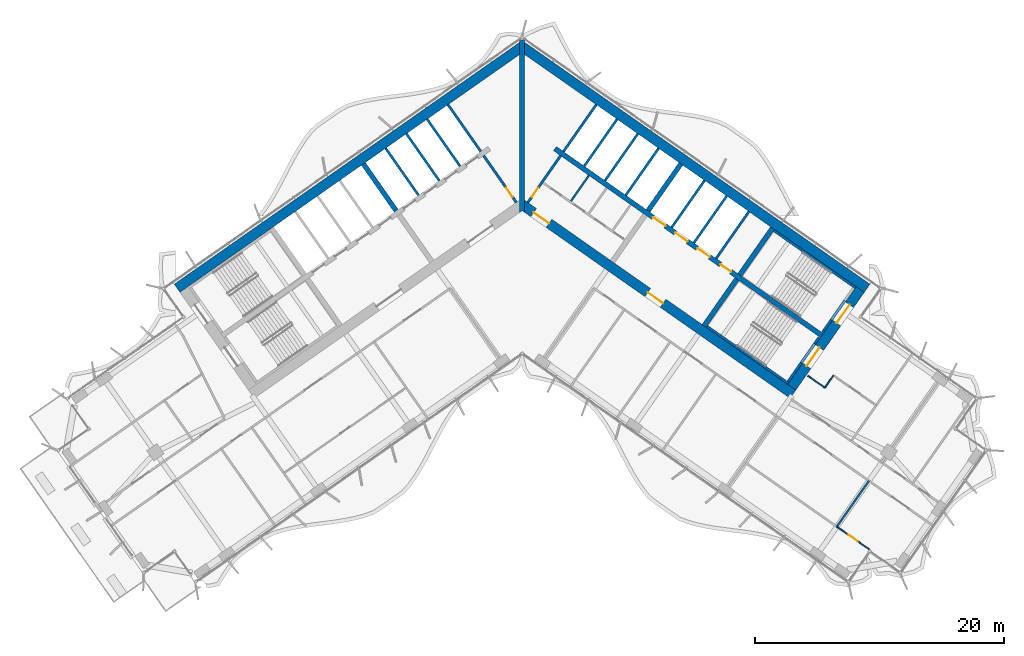
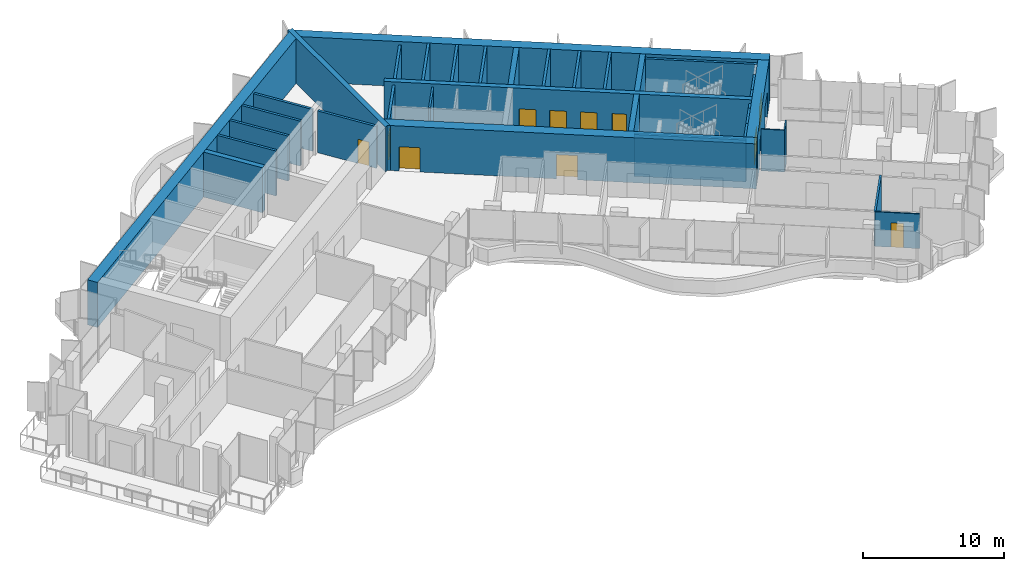
# One storey, part 16 of 24: 35 walls, 11 doors, 11 openings.
"""IFC4 building model written with IfcOpenShell, lengths in metres."""

from ifc_helpers import new_model, si_unit, direction, frame, frame_2d, origin, place, context, subcontext, project, spatial, polyline, rectangle, outline, extrude, material, layer, layer_set, type_object, element, fill, save


model = new_model("IFC4")

# Units and contexts
model_context = context("Model", 3, precision=1e-05, world=origin(), true_north=direction((0.0, 1.0)))
body_context = subcontext(model_context, "Body", "Model", "MODEL_VIEW")
ifc_project = project(units=[si_unit("LENGTHUNIT", "METRE"), si_unit("AREAUNIT", "SQUARE_METRE"), si_unit("VOLUMEUNIT", "CUBIC_METRE"), si_unit("PLANEANGLEUNIT", "RADIAN"), si_unit("MASSUNIT", "GRAM", prefix="KILO")], contexts=[model_context])

# Site, building, storey
site_placement = place(None, origin())
site = spatial("IfcSite", under=ifc_project, at=site_placement, CompositionType="ELEMENT")
building_placement = place(site_placement, origin())
building = spatial("IfcBuilding", under=site, at=building_placement, Name="Tel Ilan Convention Tower", CompositionType="ELEMENT")
storey_placement = place(building_placement, frame((0.0, 0.0, 167.10009765625)))
storey = spatial("IfcBuildingStorey", under=building, at=storey_placement, Name="L38", CompositionType="ELEMENT", Elevation=167.10009765625)

# Wall
ifc_material_1 = material(Name="Gypsum Plasterboard on Steel Stud", Category="steel")
ifc_layer_1 = layer(ifc_material_1, 0.14990234375)
ifc_layer_set_1 = layer_set([ifc_layer_1], Name="Core Room Partition Wall 150 mm EI 60")
wall_type_1 = type_object("IfcWallType", Name="Core Room Partition Wall 150 mm EI 60", PredefinedType="PARTITIONING", material=ifc_layer_set_1)
wall_1_placement = place(storey_placement, frame((3.922119140625, -0.457275390625, 0.0), z_axis=(0.0, 0.0, 1.0), x_axis=(0.573566168143, 0.81915923407, 0.0)))
element("IfcWall", 1, at=wall_1_placement, inside=storey, type_object=wall_type_1, Name="L38 core wall wc-v0", PredefinedType="PARTITIONING", context=body_context, shape_type="SweptSolid", body=[
    extrude(rectangle(XDim=2.52490234375, YDim=0.14990234375, at=frame_2d((1.262451171875, 0.0))), origin(), (0.0, 0.0, 1.0), 3.619873046875),
])

# Wall, opening, door
ifc_material_2 = material(Name="Concrete C30/37", Category="concrete")
ifc_layer_2 = layer(ifc_material_2, 0.199951171875)
ifc_layer_set_2 = layer_set([ifc_layer_2], Name="Core Service Room Wall 200 mm C30/37")
wall_type_2 = type_object("IfcWallType", Name="Core Service Room Wall 200 mm C30/37", PredefinedType="SOLIDWALL", material=ifc_layer_set_2)
wall_2_placement = place(storey_placement, frame((-0.458740234375, -0.565185546875, 0.0), z_axis=(0.0, 0.0, 1.0), x_axis=(-0.573576324356, 0.819152122709, 0.0)))
wall_2 = element("IfcWall", 2, at=wall_2_placement, inside=storey, type_object=wall_type_2, Name="L38 core wall apex-W", PredefinedType="SOLIDWALL", context=body_context, shape_type="SweptSolid", body=[
    extrude(rectangle(XDim=4.599853515625, YDim=0.199951171875, at=frame_2d((2.2998046875, 0.0))), origin(), (0.0, 0.0, 1.0), 3.619873046875),
])
opening_1_placement = place(wall_2_placement, frame((0.550048828125, 0.0, 0.0)))
opening_1 = element("IfcOpeningElement", 3, at=opening_1_placement, cuts=wall_2, Name="Opening CD3002", PredefinedType="OPENING", context=body_context, shape_type="SweptSolid", body=[
    extrude(rectangle(XDim=0.89990234375, YDim=2.10009765625, at=frame_2d((0.449951171875, 1.050048828125))), frame((0.0, 0.10986328125, 0.0), z_axis=(0.0, -1.0, 0.0), x_axis=(1.0, 0.0, 0.0)), (0.0, 0.0, 1.0), 0.219970703125),
])
ifc_material_3 = material(Name="Galvanised Steel Door Leaf", Category="steel")
door_type_1 = type_object("IfcDoorType", Name="Service Room Door 900 x 2100 FD60", OperationType="NOTDEFINED", PredefinedType="DOOR", material=ifc_material_3)
door_1_placement = place(opening_1_placement, origin())
door_1 = element("IfcDoor", 4, at=door_1_placement, inside=storey, type_object=door_type_1, Name="Telecom Room door", OperationType="SINGLE_SWING_RIGHT", OverallHeight=2.10009765625, OverallWidth=0.89990234375, PredefinedType="DOOR", context=body_context, shape_type="SweptSolid", body=[
    extrude(rectangle(XDim=0.89990234375, YDim=2.10009765625, at=frame_2d((0.449951171875, 1.050048828125))), frame((0.0, 0.02490234375, 0.0), z_axis=(0.0, -1.0, 0.0), x_axis=(1.0, 0.0, 0.0)), (0.0, 0.0, 1.0), 0.050048828125),
])
fill(opening_1, door_1)

# Wall
wall_3_placement = place(storey_placement, frame((-3.32666015625, 3.530517578125, 0.0), z_axis=(0.0, 0.0, 1.0), x_axis=(-0.573576324356, 0.819152122709, 0.0)))
element("IfcWall", 5, at=wall_3_placement, inside=storey, type_object=wall_type_2, Name="L38 core wall apex-W-b", PredefinedType="SOLIDWALL", context=body_context, shape_type="SweptSolid", body=[
    extrude(rectangle(XDim=4.599853515625, YDim=0.199951171875, at=frame_2d((2.2998046875, 0.0))), origin(), (0.0, 0.0, 1.0), 3.619873046875),
])

# Wall, opening, door
wall_4_placement = place(storey_placement, frame((0.458740234375, -0.565185546875, 0.0), z_axis=(0.0, 0.0, 1.0), x_axis=(0.573576324356, 0.819152122709, 0.0)))
wall_4 = element("IfcWall", 6, at=wall_4_placement, inside=storey, type_object=wall_type_2, Name="L38 core wall apex-E", PredefinedType="SOLIDWALL", context=body_context, shape_type="SweptSolid", body=[
    extrude(rectangle(XDim=4.599853515625, YDim=0.199951171875, at=frame_2d((2.2998046875, 0.0))), origin(), (0.0, 0.0, 1.0), 3.619873046875),
])
opening_2_placement = place(wall_4_placement, frame((0.550048828125, 0.0, 0.0)))
opening_2 = element("IfcOpeningElement", 7, at=opening_2_placement, cuts=wall_4, Name="Opening CD3001", PredefinedType="OPENING", context=body_context, shape_type="SweptSolid", body=[
    extrude(rectangle(XDim=0.89990234375, YDim=2.10009765625, at=frame_2d((0.449951171875, 1.050048828125))), frame((0.0, 0.10986328125, 0.0), z_axis=(0.0, -1.0, 0.0), x_axis=(1.0, 0.0, 0.0)), (0.0, 0.0, 1.0), 0.219970703125),
])
door_2_placement = place(opening_2_placement, origin())
door_2 = element("IfcDoor", 8, at=door_2_placement, inside=storey, type_object=door_type_1, Name="Data Room door", OperationType="SINGLE_SWING_RIGHT", OverallHeight=2.10009765625, OverallWidth=0.89990234375, PredefinedType="DOOR", context=body_context, shape_type="SweptSolid", body=[
    extrude(rectangle(XDim=0.89990234375, YDim=2.10009765625, at=frame_2d((0.449951171875, 1.050048828125))), frame((0.0, 0.02490234375, 0.0), z_axis=(0.0, -1.0, 0.0), x_axis=(1.0, 0.0, 0.0)), (0.0, 0.0, 1.0), 0.050048828125),
])
fill(opening_2, door_2)

# Walls
wall_5_placement = place(storey_placement, frame((3.32666015625, 3.530517578125, 0.0), z_axis=(0.0, 0.0, 1.0), x_axis=(0.573576324356, 0.819152122709, 0.0)))
element("IfcWall", 9, at=wall_5_placement, inside=storey, type_object=wall_type_2, Name="L38 core wall apex-E-b", PredefinedType="SOLIDWALL", context=body_context, shape_type="SweptSolid", body=[
    extrude(rectangle(XDim=4.599853515625, YDim=0.199951171875, at=frame_2d((2.2998046875, 0.0))), origin(), (0.0, 0.0, 1.0), 3.619873046875),
])
ifc_material_4 = material(Name="Concrete C50/60", Category="concrete")
ifc_layer_3 = layer(ifc_material_4, 0.39990234375)
ifc_layer_set_3 = layer_set([ifc_layer_3], Name="Core Shear Wall 400 mm C50/60")
wall_type_3 = type_object("IfcWallType", Name="Core Shear Wall 400 mm C50/60", PredefinedType="SHEAR", material=ifc_layer_set_3)
wall_6_placement = place(storey_placement, frame((-10.12548828125, -1.230224609375, 0.0), z_axis=(0.0, 0.0, 1.0), x_axis=(-0.573576324356, 0.819152122709, 0.0)))
element("IfcWall", 10, at=wall_6_placement, inside=storey, type_object=wall_type_3, Name="L38 core wall W-cross1-2", PredefinedType="SHEAR", context=body_context, shape_type="SweptSolid", body=[
    extrude(outline(polyline([(4.60009765625, -0.199951171875), (4.599853515625, 0.199951171875), (0.0, 0.2001953125), (0.0, -0.199951171875), (4.60009765625, -0.199951171875)])), origin(), (0.0, 0.0, 1.0), 3.89990234375),
])
wall_7_placement = place(storey_placement, frame((10.12548828125, -1.230224609375, 0.0), z_axis=(0.0, 0.0, 1.0), x_axis=(0.573576324356, 0.819152122709, 0.0)))
element("IfcWall", 11, at=wall_7_placement, inside=storey, type_object=wall_type_3, Name="L38 core wall E-cross1-2", PredefinedType="SHEAR", context=body_context, shape_type="SweptSolid", body=[
    extrude(outline(polyline([(4.599853515625, -0.199951171875), (4.60009765625, 0.199951171875), (0.0, 0.199951171875), (0.0, -0.2001953125), (4.599853515625, -0.199951171875)])), origin(), (0.0, 0.0, 1.0), 3.89990234375),
])
wall_8_placement = place(storey_placement, frame((14.6298828125, -10.48828125, 0.0), z_axis=(0.0, 0.0, 1.0), x_axis=(0.573611936273, 0.819127185829, 0.0)))
element("IfcWall", 12, at=wall_8_placement, inside=storey, type_object=wall_type_3, Name="L38 core wall E-cross2-1", PredefinedType="SHEAR", context=body_context, shape_type="SweptSolid", body=[
    extrude(outline(polyline([(0.000244140625, 0.199951171875), (0.000244140625, -0.2001953125), (4.60009765625, -0.199951171875), (4.60009765625, 0.2001953125), (0.000244140625, 0.199951171875)])), origin(), (0.0, 0.0, 1.0), 3.89990234375),
])
wall_9_placement = place(storey_placement, frame((17.497802734375, -6.392333984375, 0.0), z_axis=(0.0, 0.0, 1.0), x_axis=(0.573611936273, 0.819127185829, 0.0)))
element("IfcWall", 13, at=wall_9_placement, inside=storey, type_object=wall_type_3, Name="L38 core wall E-cross2-2", PredefinedType="SHEAR", context=body_context, shape_type="SweptSolid", body=[
    extrude(outline(polyline([(4.599853515625, -0.199951171875), (4.599853515625, 0.2001953125), (0.0, 0.199951171875), (0.0, -0.2001953125), (4.599853515625, -0.199951171875)])), origin(), (0.0, 0.0, 1.0), 3.89990234375),
])

# Wall, openings, doors
wall_10_placement = place(storey_placement, frame((2.638427734375, 3.76806640625, 0.0), z_axis=(0.0, 0.0, 1.0), x_axis=(0.81915267502, -0.573575535572, 0.0)))
wall_10 = element("IfcWall", 14, at=wall_10_placement, inside=storey, type_object=wall_type_3, Name="L38 core wall E-spine", PredefinedType="SHEAR", context=body_context, shape_type="SweptSolid", body=[
    extrude(outline(polyline([(0.0, 0.199951171875), (0.0, -0.199951171875), (26.199951171875, -0.199951171875), (26.199951171875, 0.199951171875), (0.0, 0.199951171875)])), origin(), (0.0, 0.0, 1.0), 3.89990234375),
])
opening_3_placement = place(wall_10_placement, frame((9.637451171875, 0.0, 0.0)))
opening_3 = element("IfcOpeningElement", 15, at=opening_3_placement, cuts=wall_10, Name="Opening LD3001", PredefinedType="OPENING", context=body_context, shape_type="SweptSolid", body=[
    extrude(rectangle(XDim=1.199951171875, YDim=2.10009765625, at=frame_2d((0.60009765625, 1.050048828125))), frame((0.0, 0.2099609375, 0.0), z_axis=(0.0, -1.0, 0.0), x_axis=(1.0, 0.0, 0.0)), (0.0, 0.0, 1.0), 0.419921875),
])
opening_4_placement = place(wall_10_placement, frame((11.8125, 0.0, 0.0)))
opening_4 = element("IfcOpeningElement", 16, at=opening_4_placement, cuts=wall_10, Name="Opening LD3002", PredefinedType="OPENING", context=body_context, shape_type="SweptSolid", body=[
    extrude(rectangle(XDim=1.199951171875, YDim=2.10009765625, at=frame_2d((0.60009765625, 1.050048828125))), frame((0.0, 0.2099609375, 0.0), z_axis=(0.0, -1.0, 0.0), x_axis=(1.0, 0.0, 0.0)), (0.0, 0.0, 1.0), 0.419921875),
])
opening_5_placement = place(wall_10_placement, frame((13.987548828125, 0.0, 0.0)))
opening_5 = element("IfcOpeningElement", 17, at=opening_5_placement, cuts=wall_10, Name="Opening LD3003", PredefinedType="OPENING", context=body_context, shape_type="SweptSolid", body=[
    extrude(rectangle(XDim=1.199951171875, YDim=2.10009765625, at=frame_2d((0.60009765625, 1.050048828125))), frame((0.0, 0.2099609375, 0.0), z_axis=(0.0, -1.0, 0.0), x_axis=(1.0, 0.0, 0.0)), (0.0, 0.0, 1.0), 0.419921875),
])
opening_6_placement = place(wall_10_placement, frame((16.262451171875, 0.0, 0.0)))
opening_6 = element("IfcOpeningElement", 18, at=opening_6_placement, cuts=wall_10, Name="Opening CD3007", PredefinedType="OPENING", context=body_context, shape_type="SweptSolid", body=[
    extrude(rectangle(XDim=1.0, YDim=2.10009765625, at=frame_2d((0.5, 1.050048828125))), frame((0.0, 0.2099609375, 0.0), z_axis=(0.0, -1.0, 0.0), x_axis=(1.0, 0.0, 0.0)), (0.0, 0.0, 1.0), 0.419921875),
])
ifc_material_5 = material(Name="Stainless Steel Sliding Door Leaf", Category="steel")
door_type_2 = type_object("IfcDoorType", Name="Lift Landing Door 1200 x 2100 FD120", OperationType="NOTDEFINED", PredefinedType="DOOR", material=ifc_material_5)
door_3_placement = place(opening_3_placement, origin())
door_3 = element("IfcDoor", 19, at=door_3_placement, inside=storey, type_object=door_type_2, Name="Lift FL1 landing door", OperationType="SLIDING_TO_LEFT", OverallHeight=2.10009765625, OverallWidth=1.199951171875, PredefinedType="DOOR", context=body_context, shape_type="SweptSolid", body=[
    extrude(rectangle(XDim=1.199951171875, YDim=2.10009765625, at=frame_2d((0.60009765625, 1.050048828125))), frame((0.0, 0.02490234375, 0.0), z_axis=(0.0, -1.0, 0.0), x_axis=(1.0, 0.0, 0.0)), (0.0, 0.0, 1.0), 0.050048828125),
])
fill(opening_3, door_3)
door_4_placement = place(opening_4_placement, origin())
door_4 = element("IfcDoor", 20, at=door_4_placement, inside=storey, type_object=door_type_2, Name="Lift FL2 landing door", OperationType="SLIDING_TO_RIGHT", OverallHeight=2.10009765625, OverallWidth=1.199951171875, PredefinedType="DOOR", context=body_context, shape_type="SweptSolid", body=[
    extrude(rectangle(XDim=1.199951171875, YDim=2.10009765625, at=frame_2d((0.60009765625, 1.050048828125))), frame((0.0, 0.02490234375, 0.0), z_axis=(0.0, -1.0, 0.0), x_axis=(1.0, 0.0, 0.0)), (0.0, 0.0, 1.0), 0.050048828125),
])
fill(opening_4, door_4)
door_5_placement = place(opening_5_placement, origin())
door_5 = element("IfcDoor", 21, at=door_5_placement, inside=storey, type_object=door_type_2, Name="Lift FL3 landing door", OperationType="SLIDING_TO_LEFT", OverallHeight=2.10009765625, OverallWidth=1.199951171875, PredefinedType="DOOR", context=body_context, shape_type="SweptSolid", body=[
    extrude(rectangle(XDim=1.199951171875, YDim=2.10009765625, at=frame_2d((0.60009765625, 1.050048828125))), frame((0.0, 0.02490234375, 0.0), z_axis=(0.0, -1.0, 0.0), x_axis=(1.0, 0.0, 0.0)), (0.0, 0.0, 1.0), 0.050048828125),
])
fill(opening_5, door_5)
ifc_material_6 = material(Name="Galvanised Steel Door Leaf", Category="steel")
door_type_3 = type_object("IfcDoorType", Name="Service Room Door 1000 x 2100 FD60", OperationType="NOTDEFINED", PredefinedType="DOOR", material=ifc_material_6)
door_6_placement = place(opening_6_placement, origin())
door_6 = element("IfcDoor", 22, at=door_6_placement, inside=storey, type_object=door_type_3, Name="Plant Room door", OperationType="SINGLE_SWING_RIGHT", OverallHeight=2.10009765625, OverallWidth=1.0, PredefinedType="DOOR", context=body_context, shape_type="SweptSolid", body=[
    extrude(rectangle(XDim=1.0, YDim=2.10009765625, at=frame_2d((0.5, 1.050048828125))), frame((0.0, 0.02490234375, 0.0), z_axis=(0.0, -1.0, 0.0), x_axis=(1.0, 0.0, 0.0)), (0.0, 0.0, 1.0), 0.050048828125),
])
fill(opening_6, door_6)

# Walls
wall_11_placement = place(storey_placement, frame((0.0, -1.36083984375, 0.0), z_axis=(0.0, 0.0, 1.0), x_axis=(0.0, 1.0, 0.0)))
element("IfcWall", 23, at=wall_11_placement, inside=storey, type_object=wall_type_3, Name="L38 core wall K-central", PredefinedType="SHEAR", context=body_context, shape_type="SweptSolid", body=[
    extrude(outline(polyline([(0.0, -0.199951171875), (0.14013671875, -0.199951171875), (1.0751953125, -0.199951171875), (12.696044921875, -0.199951171875), (13.812744140625, -0.199951171875), (13.893310546875, -0.199951171875), (13.933349609375, -0.172119140625), (13.812744140625, 0.0), (13.933349609375, 0.172119140625), (13.893310546875, 0.199951171875), (13.812744140625, 0.199951171875), (12.696044921875, 0.199951171875), (1.0751953125, 0.199951171875), (0.14013671875, 0.199951171875), (0.0, 0.199951171875), (0.14013671875, 0.0), (0.0, -0.199951171875)])), origin(), (0.0, 0.0, 1.0), 3.89990234375),
])
ifc_material_7 = material(Name="Concrete C50/60", Category="concrete")
ifc_layer_4 = layer(ifc_material_7, 0.800048828125)
ifc_layer_set_4 = layer_set([ifc_layer_4], Name="Core Shear Wall 800 mm C50/60")
wall_type_4 = type_object("IfcWallType", Name="Core Shear Wall 800 mm C50/60", PredefinedType="SHEAR", material=ifc_layer_set_4)
wall_12_placement = place(storey_placement, frame((0.029296875, 11.984130859375, 0.0), z_axis=(0.0, 0.0, 1.0), x_axis=(-0.819151382952, -0.573577380837, 0.0)))
element("IfcWall", 24, at=wall_12_placement, inside=storey, type_object=wall_type_4, Name="L38 core wall W-back", PredefinedType="SHEAR", context=body_context, shape_type="SweptSolid", body=[
    extrude(outline(polyline([(33.897705078125, 0.39990234375), (0.56005859375, 0.400146484375), (-0.000244140625, -0.39990234375), (33.897705078125, -0.400146484375), (33.897705078125, 0.39990234375)])), origin(), (0.0, 0.0, 1.0), 3.89990234375),
])
wall_13_placement = place(storey_placement, frame((-0.029296875, 11.984130859375, 0.0), z_axis=(0.0, 0.0, 1.0), x_axis=(0.819151382952, -0.573577380837, 0.0)))
element("IfcWall", 25, at=wall_13_placement, inside=storey, type_object=wall_type_4, Name="L38 core wall E-back", PredefinedType="SHEAR", context=body_context, shape_type="SweptSolid", body=[
    extrude(outline(polyline([(33.897705078125, 0.400146484375), (-0.000244140625, 0.39990234375), (0.56005859375, -0.400146484375), (33.897705078125, -0.39990234375), (33.897705078125, 0.400146484375)])), origin(), (0.0, 0.0, 1.0), 3.89990234375),
])

# Wall, openings, doors
wall_14_placement = place(storey_placement, frame((-0.029296875, -0.7119140625, 0.0), z_axis=(0.0, 0.0, 1.0), x_axis=(0.819151758019, -0.573576845187, 0.0)))
wall_14 = element("IfcWall", 26, at=wall_14_placement, inside=storey, type_object=wall_type_4, Name="L38 core wall E-front", PredefinedType="SHEAR", context=body_context, shape_type="SweptSolid", body=[
    extrude(outline(polyline([(26.61572265625, 0.39990234375), (-0.000244140625, 0.39990234375), (0.56005859375, -0.39990234375), (26.61572265625, -0.39990234375), (26.61572265625, 0.39990234375)])), origin(), (0.0, 0.0, 1.0), 3.89990234375),
])
opening_7_placement = place(wall_14_placement, frame((1.165771484375, 0.0, 0.0)))
opening_7 = element("IfcOpeningElement", 27, at=opening_7_placement, cuts=wall_14, Name="Opening CD3003", PredefinedType="OPENING", context=body_context, shape_type="SweptSolid", body=[
    extrude(rectangle(XDim=1.5, YDim=2.10009765625, at=frame_2d((0.75, 1.050048828125))), frame((0.0, 0.409912109375, 0.0), z_axis=(0.0, -1.0, 0.0), x_axis=(1.0, 0.0, 0.0)), (0.0, 0.0, 1.0), 0.820068359375),
])
opening_8_placement = place(wall_14_placement, frame((12.36572265625, 0.0, 0.0)))
opening_8 = element("IfcOpeningElement", 28, at=opening_8_placement, cuts=wall_14, Name="Opening CD3004", PredefinedType="OPENING", context=body_context, shape_type="SweptSolid", body=[
    extrude(rectangle(XDim=1.5, YDim=2.10009765625, at=frame_2d((0.75, 1.050048828125))), frame((0.0, 0.409912109375, 0.0), z_axis=(0.0, -1.0, 0.0), x_axis=(1.0, 0.0, 0.0)), (0.0, 0.0, 1.0), 0.820068359375),
])
ifc_material_8 = material(Name="Glazed Aluminium Door Leaf", Category="aluminium")
door_type_4 = type_object("IfcDoorType", Name="Lobby Opening Door 1500 x 2100 FD60S", OperationType="NOTDEFINED", PredefinedType="DOOR", material=ifc_material_8)
door_7_placement = place(opening_8_placement, origin())
door_7 = element("IfcDoor", 29, at=door_7_placement, inside=storey, type_object=door_type_4, Name="Firefighting Lobby door", OperationType="DOUBLE_DOOR_SINGLE_SWING", OverallHeight=2.10009765625, OverallWidth=1.5, PredefinedType="DOOR", context=body_context, shape_type="SweptSolid", body=[
    extrude(rectangle(XDim=1.5, YDim=2.10009765625, at=frame_2d((0.75, 1.050048828125))), frame((0.0, 0.02490234375, 0.0), z_axis=(0.0, -1.0, 0.0), x_axis=(1.0, 0.0, 0.0)), (0.0, 0.0, 1.0), 0.050048828125),
])
fill(opening_8, door_7)
ifc_material_9 = material(Name="Laminated Timber Door Leaf", Category="wood")
door_type_5 = type_object("IfcDoorType", Name="Toilet Door 1500 x 2100 FD30S", OperationType="NOTDEFINED", PredefinedType="DOOR", material=ifc_material_9)
door_8_placement = place(opening_7_placement, origin())
door_8 = element("IfcDoor", 30, at=door_8_placement, inside=storey, type_object=door_type_5, Name="WC Lobby door", OperationType="SINGLE_SWING_RIGHT", OverallHeight=2.10009765625, OverallWidth=1.5, PredefinedType="DOOR", context=body_context, shape_type="SweptSolid", body=[
    extrude(rectangle(XDim=1.5, YDim=2.10009765625, at=frame_2d((0.75, 1.050048828125))), frame((0.0, 0.02490234375, 0.0), z_axis=(0.0, -1.0, 0.0), x_axis=(1.0, 0.0, 0.0)), (0.0, 0.0, 1.0), 0.050048828125),
])
fill(opening_7, door_8)

wall_15_placement = place(storey_placement, frame((21.6748046875, -15.4208984375, 0.0), z_axis=(0.0, 0.0, 1.0), x_axis=(0.573581815061, 0.819148278049, 0.0)))
wall_15 = element("IfcWall", 31, at=wall_15_placement, inside=storey, type_object=wall_type_4, Name="L38 core wall E-end", PredefinedType="SHEAR", context=body_context, shape_type="SweptSolid", body=[
    extrude(outline(polyline([(9.599853515625, 0.400146484375), (0.0, 0.39990234375), (0.0, -0.39990234375), (9.599853515625, -0.39990234375), (9.599853515625, 0.400146484375)])), origin(), (0.0, 0.0, 1.0), 3.89990234375),
])
opening_9_placement = place(wall_15_placement, frame((6.300048828125, 0.0, 0.0)))
opening_9 = element("IfcOpeningElement", 32, at=opening_9_placement, cuts=wall_15, Name="Opening SD3003", PredefinedType="OPENING", context=body_context, shape_type="SweptSolid", body=[
    extrude(rectangle(XDim=1.800048828125, YDim=2.10009765625, at=frame_2d((0.89990234375, 1.050048828125))), frame((0.0, 0.409912109375, 0.0), z_axis=(0.0, -1.0, 0.0), x_axis=(1.0, 0.0, 0.0)), (0.0, 0.0, 1.0), 0.820068359375),
])
opening_10_placement = place(wall_15_placement, frame((2.10009765625, 0.0, 0.0)))
opening_10 = element("IfcOpeningElement", 33, at=opening_10_placement, cuts=wall_15, Name="Opening SD3004", PredefinedType="OPENING", context=body_context, shape_type="SweptSolid", body=[
    extrude(rectangle(XDim=1.800048828125, YDim=2.10009765625, at=frame_2d((0.89990234375, 1.050048828125))), frame((0.0, 0.409912109375, 0.0), z_axis=(0.0, -1.0, 0.0), x_axis=(1.0, 0.0, 0.0)), (0.0, 0.0, 1.0), 0.820068359375),
])
ifc_material_10 = material(Name="Galvanised Steel Door Leaf", Category="steel")
door_type_6 = type_object("IfcDoorType", Name="Stair Fire Door 1800 x 2100 FD60S", OperationType="NOTDEFINED", PredefinedType="DOOR", material=ifc_material_10)
door_9_placement = place(opening_9_placement, origin())
door_9 = element("IfcDoor", 34, at=door_9_placement, inside=storey, type_object=door_type_6, Name="Stair S3 door", OperationType="DOUBLE_DOOR_SINGLE_SWING", OverallHeight=2.10009765625, OverallWidth=1.800048828125, PredefinedType="DOOR", context=body_context, shape_type="SweptSolid", body=[
    extrude(rectangle(XDim=1.800048828125, YDim=2.10009765625, at=frame_2d((0.89990234375, 1.050048828125))), frame((0.0, 0.02490234375, 0.0), z_axis=(0.0, -1.0, 0.0), x_axis=(1.0, 0.0, 0.0)), (0.0, 0.0, 1.0), 0.050048828125),
])
fill(opening_9, door_9)
door_10_placement = place(opening_10_placement, origin())
door_10 = element("IfcDoor", 35, at=door_10_placement, inside=storey, type_object=door_type_6, Name="Stair S4 door", OperationType="DOUBLE_DOOR_SINGLE_SWING", OverallHeight=2.10009765625, OverallWidth=1.800048828125, PredefinedType="DOOR", context=body_context, shape_type="SweptSolid", body=[
    extrude(rectangle(XDim=1.800048828125, YDim=2.10009765625, at=frame_2d((0.89990234375, 1.050048828125))), frame((0.0, 0.02490234375, 0.0), z_axis=(0.0, -1.0, 0.0), x_axis=(1.0, 0.0, 0.0)), (0.0, 0.0, 1.0), 0.050048828125),
])
fill(opening_10, door_10)

# Walls
ifc_material_11 = material(Name="Plasterboard on Steel Studs", Category="steel")
ifc_layer_5 = layer(ifc_material_11, 0.14990234375)
ifc_layer_set_5 = layer_set([ifc_layer_5], Name="Fire-rated Partition 150 EI 60")
wall_type_5 = type_object("IfcWallType", Name="Fire-rated Partition 150 EI 60", PredefinedType="PARTITIONING", material=ifc_layer_set_5)
wall_16_placement = place(storey_placement, frame((27.883544921875, -22.9423828125, 0.0), z_axis=(0.0, 0.0, 1.0), x_axis=(-0.573560650686, -0.819163097304, 0.0)))
element("IfcWall", 36, at=wall_16_placement, inside=storey, type_object=wall_type_5, Name="Partition 032", PredefinedType="PARTITIONING", context=body_context, shape_type="SweptSolid", body=[
    extrude(rectangle(XDim=4.5, YDim=0.14990234375, at=frame_2d((2.25, 0.0))), origin(), (0.0, 0.0, 1.0), 3.0),
])
ifc_material_12 = material(Name="Concrete C30/37", Category="concrete")
ifc_layer_6 = layer(ifc_material_12, 0.199951171875)
ifc_layer_set_6 = layer_set([ifc_layer_6], Name="Lift Shaft Wall 200 mm C30/37")
wall_type_6 = type_object("IfcWallType", Name="Lift Shaft Wall 200 mm C30/37", PredefinedType="SOLIDWALL", material=ifc_layer_set_6)
for number, where, z_axis, x_axis, name in (
    (37, (-4.99560546875, 2.36181640625, 0.0), (0.0, 0.0, 1.0), (-0.573576324356, 0.819152122709, 0.0), "L38 core wall bank-W1-p0"),
    (38, (-6.66455078125, 1.193115234375, 0.0), (0.0, 0.0, 1.0), (-0.573576324356, 0.819152122709, 0.0), "L38 core wall bank-W1-p1"),
):
    element("IfcWall", number, at=place(storey_placement, frame(where, z_axis=z_axis, x_axis=x_axis)), inside=storey, type_object=wall_type_6, Name=name, PredefinedType="SOLIDWALL", context=body_context, shape_type="SweptSolid", body=[
        extrude(rectangle(XDim=4.599853515625, YDim=0.199951171875, at=frame_2d((2.2998046875, 0.0))), origin(), (0.0, 0.0, 1.0), 3.89990234375),
    ])
wall_17_placement = place(storey_placement, frame((-8.33349609375, 0.0244140625, 0.0), z_axis=(0.0, 0.0, 1.0), x_axis=(-0.573611936273, 0.819127185829, 0.0)))
element("IfcWall", 39, at=wall_17_placement, inside=storey, type_object=wall_type_6, Name="L38 core wall bank-W1-p2", PredefinedType="SOLIDWALL", context=body_context, shape_type="SweptSolid", body=[
    extrude(rectangle(XDim=4.60009765625, YDim=0.199951171875, at=frame_2d((2.300048828125, 0.0))), origin(), (0.0, 0.0, 1.0), 3.89990234375),
])
for number, where, z_axis, x_axis, name in (
    (40, (4.99560546875, 2.36181640625, 0.0), (0.0, 0.0, 1.0), (0.573576324356, 0.819152122709, 0.0), "L38 core wall bank-E1-p0"),
    (41, (6.66455078125, 1.193115234375, 0.0), (0.0, 0.0, 1.0), (0.573576324356, 0.819152122709, 0.0), "L38 core wall bank-E1-p1"),
):
    element("IfcWall", number, at=place(storey_placement, frame(where, z_axis=z_axis, x_axis=x_axis)), inside=storey, type_object=wall_type_6, Name=name, PredefinedType="SOLIDWALL", context=body_context, shape_type="SweptSolid", body=[
        extrude(rectangle(XDim=4.599853515625, YDim=0.199951171875, at=frame_2d((2.2998046875, 0.0))), origin(), (0.0, 0.0, 1.0), 3.89990234375),
    ])
wall_18_placement = place(storey_placement, frame((8.33349609375, 0.0244140625, 0.0), z_axis=(0.0, 0.0, 1.0), x_axis=(0.573611936273, 0.819127185829, 0.0)))
element("IfcWall", 42, at=wall_18_placement, inside=storey, type_object=wall_type_6, Name="L38 core wall bank-E1-p2", PredefinedType="SOLIDWALL", context=body_context, shape_type="SweptSolid", body=[
    extrude(rectangle(XDim=4.60009765625, YDim=0.199951171875, at=frame_2d((2.300048828125, 0.0))), origin(), (0.0, 0.0, 1.0), 3.89990234375),
])
for number, where, z_axis, x_axis, name in (
    (43, (12.030029296875, -2.563720703125, 0.0), (0.0, 0.0, 1.0), (0.573576324356, 0.819152122709, 0.0), "L38 core wall bank-E2-p0"),
    (44, (13.811767578125, -3.811279296875, 0.0), (0.0, 0.0, 1.0), (0.573576324356, 0.819152122709, 0.0), "L38 core wall bank-E2-p1"),
    (45, (15.593505859375, -5.058837890625, 0.0), (0.0, 0.0, 1.0), (0.573540709186, 0.819177059558, 0.0), "L38 core wall bank-E2-p2"),
):
    element("IfcWall", number, at=place(storey_placement, frame(where, z_axis=z_axis, x_axis=x_axis)), inside=storey, type_object=wall_type_6, Name=name, PredefinedType="SOLIDWALL", context=body_context, shape_type="SweptSolid", body=[
        extrude(rectangle(XDim=4.599853515625, YDim=0.199951171875, at=frame_2d((2.2998046875, 0.0))), origin(), (0.0, 0.0, 1.0), 3.89990234375),
    ])
ifc_material_13 = material(Name="Plasterboard on Steel Studs", Category="steel")
ifc_layer_7 = layer(ifc_material_13, 0.10009765625)
ifc_layer_set_7 = layer_set([ifc_layer_7], Name="Plasterboard Partition 100")
wall_type_7 = type_object("IfcWallType", Name="Plasterboard Partition 100", PredefinedType="PARTITIONING", material=ifc_layer_set_7)
wall_19_placement = place(storey_placement, frame((24.337158203125, -15.4541015625, 0.0), z_axis=(0.0, 0.0, 1.0), x_axis=(0.57359875229, 0.819136418047, 0.0)))
element("IfcWall", 46, at=wall_19_placement, inside=storey, type_object=wall_type_7, Name="Partition 018", PredefinedType="PARTITIONING", context=body_context, shape_type="SweptSolid", body=[
    extrude(rectangle(XDim=1.201171875, YDim=0.10009765625, at=frame_2d((0.6005859375, 0.0))), origin(), (0.0, 0.0, 1.0), 3.619873046875),
])
wall_20_placement = place(storey_placement, frame((22.961181640625, -14.490478515625, 0.0), z_axis=(0.0, 0.0, 1.0), x_axis=(0.819109000826, -0.573637903879, 0.0)))
element("IfcWall", 47, at=wall_20_placement, inside=storey, type_object=wall_type_7, Name="Partition 019", PredefinedType="PARTITIONING", context=body_context, shape_type="SweptSolid", body=[
    extrude(rectangle(XDim=1.679931640625, YDim=0.10009765625, at=frame_2d((0.83984375, 0.0))), origin(), (0.0, 0.0, 1.0), 3.619873046875),
])

# Wall, opening, door
wall_21_placement = place(storey_placement, frame((27.923095703125, -28.46484375, 0.0), z_axis=(0.0, 0.0, 1.0), x_axis=(-0.819163851829, 0.573559573067, 0.0)))
wall_21 = element("IfcWall", 48, at=wall_21_placement, inside=storey, type_object=wall_type_7, Name="Partition 033", PredefinedType="PARTITIONING", context=body_context, shape_type="SweptSolid", body=[
    extrude(rectangle(XDim=3.201904296875, YDim=0.10009765625, at=frame_2d((1.60107421875, 0.0))), origin(), (0.0, 0.0, 1.0), 3.0),
])
opening_11_placement = place(wall_21_placement, frame((1.15087890625, 0.0, 0.0)))
opening_11 = element("IfcOpeningElement", 49, at=opening_11_placement, cuts=wall_21, Name="Opening L38-015", PredefinedType="OPENING", context=body_context, shape_type="SweptSolid", body=[
    extrude(rectangle(XDim=0.89990234375, YDim=2.10009765625, at=frame_2d((0.449951171875, 1.050048828125))), frame((0.0, 0.06005859375, 0.0), z_axis=(0.0, -1.0, 0.0), x_axis=(1.0, 0.0, 0.0)), (0.0, 0.0, 1.0), 0.1201171875),
])
ifc_material_14 = material(Name="Timber Door Leaf in Steel Frame", Category="steel")
door_type_7 = type_object("IfcDoorType", Name="Room Timber Door 900x2100", OperationType="NOTDEFINED", PredefinedType="DOOR", material=ifc_material_14)
door_11_placement = place(opening_11_placement, origin())
door_11 = element("IfcDoor", 50, at=door_11_placement, inside=storey, type_object=door_type_7, Name="Door L38-015", OperationType="SINGLE_SWING_LEFT", OverallHeight=2.10009765625, OverallWidth=0.89990234375, PredefinedType="DOOR", context=body_context, shape_type="SweptSolid", body=[
    extrude(rectangle(XDim=0.89990234375, YDim=2.10009765625, at=frame_2d((0.449951171875, 1.050048828125))), frame((0.0, 0.02490234375, 0.0), z_axis=(0.0, -1.0, 0.0), x_axis=(1.0, 0.0, 0.0)), (0.0, 0.0, 1.0), 0.050048828125),
])
fill(opening_11, door_11)

# Walls
ifc_material_15 = material(Name="Concrete C30/37", Category="concrete")
ifc_layer_8 = layer(ifc_material_15, 0.199951171875)
ifc_layer_set_8 = layer_set([ifc_layer_8], Name="Stair and Shaft Lining Wall 200 mm C30/37")
wall_type_8 = type_object("IfcWallType", Name="Stair and Shaft Lining Wall 200 mm C30/37", PredefinedType="SOLIDWALL", material=ifc_layer_set_8)
wall_22_placement = place(storey_placement, frame((20.242919921875, -2.821044921875, 0.0), z_axis=(0.0, 0.0, 1.0), x_axis=(0.819141584393, -0.57359137434, 0.0)))
element("IfcWall", 51, at=wall_22_placement, inside=storey, type_object=wall_type_8, Name="L38 core wall lining-S3-t1", PredefinedType="SOLIDWALL", context=body_context, shape_type="SweptSolid", body=[
    extrude(rectangle(XDim=7.999755859375, YDim=0.199951171875, at=frame_2d((4.0, 0.0))), origin(), (0.0, 0.0, 1.0), 3.619873046875),
])
wall_23_placement = place(storey_placement, frame((24.16162109375, -10.99755859375, 0.0), z_axis=(0.0, 0.0, 1.0), x_axis=(0.573612502218, 0.819126789514, 0.0)))
element("IfcWall", 52, at=wall_23_placement, inside=storey, type_object=wall_type_8, Name="L38 core wall lining-S3-u1-0", PredefinedType="SOLIDWALL", context=body_context, shape_type="SweptSolid", body=[
    extrude(rectangle(XDim=1.2001953125, YDim=0.199951171875, at=frame_2d((0.60009765625, 0.0))), origin(), (0.0, 0.0, 1.0), 3.619873046875),
])
wall_24_placement = place(storey_placement, frame((24.85009765625, -10.014404296875, 2.14990234375), z_axis=(0.0, 0.0, 1.0), x_axis=(0.573505465124, 0.819201734296, 0.0)))
element("IfcWall", 53, at=wall_24_placement, inside=storey, type_object=wall_type_8, Name="L38 core wall lining-S3-u1-lintel", PredefinedType="SOLIDWALL", context=body_context, shape_type="SweptSolid", body=[
    extrude(rectangle(XDim=1.89990234375, YDim=0.199951171875, at=frame_2d((0.949951171875, 0.0))), origin(), (0.0, 0.0, 1.0), 1.469970703125),
])
wall_25_placement = place(storey_placement, frame((14.851318359375, -10.52099609375, 0.0), z_axis=(0.0, 0.0, 1.0), x_axis=(0.819141584393, -0.57359137434, 0.0)))
element("IfcWall", 54, at=wall_25_placement, inside=storey, type_object=wall_type_8, Name="L38 core wall lining-S4-t0", PredefinedType="SOLIDWALL", context=body_context, shape_type="SweptSolid", body=[
    extrude(rectangle(XDim=7.999755859375, YDim=0.199951171875, at=frame_2d((4.0, 0.0))), origin(), (0.0, 0.0, 1.0), 3.619873046875),
])
wall_26_placement = place(storey_placement, frame((21.3798828125, -14.97021484375, 0.0), z_axis=(0.0, 0.0, 1.0), x_axis=(0.573559770908, 0.819163713305, 0.0)))
element("IfcWall", 55, at=wall_26_placement, inside=storey, type_object=wall_type_8, Name="L38 core wall lining-S4-u1-0", PredefinedType="SOLIDWALL", context=body_context, shape_type="SweptSolid", body=[
    extrude(rectangle(XDim=1.849853515625, YDim=0.199951171875, at=frame_2d((0.9248046875, 0.0))), origin(), (0.0, 0.0, 1.0), 3.619873046875),
])
wall_27_placement = place(storey_placement, frame((23.53076171875, -11.8984375, 0.0), z_axis=(0.0, 0.0, 1.0), x_axis=(0.573708088123, 0.819059844958, 0.0)))
element("IfcWall", 56, at=wall_27_placement, inside=storey, type_object=wall_type_8, Name="L38 core wall lining-S4-u1-1", PredefinedType="SOLIDWALL", context=body_context, shape_type="SweptSolid", body=[
    extrude(rectangle(XDim=0.60009765625, YDim=0.199951171875, at=frame_2d((0.300048828125, 0.0))), origin(), (0.0, 0.0, 1.0), 3.619873046875),
])
wall_28_placement = place(storey_placement, frame((22.44091796875, -13.454833984375, 2.14990234375), z_axis=(0.0, 0.0, 1.0), x_axis=(0.573591692345, 0.819141361715, 0.0)))
element("IfcWall", 57, at=wall_28_placement, inside=storey, type_object=wall_type_8, Name="L38 core wall lining-S4-u1-lintel", PredefinedType="SOLIDWALL", context=body_context, shape_type="SweptSolid", body=[
    extrude(rectangle(XDim=1.900146484375, YDim=0.199951171875, at=frame_2d((0.9501953125, 0.0))), origin(), (0.0, 0.0, 1.0), 1.469970703125),
])

save(model, "model.ifc")
